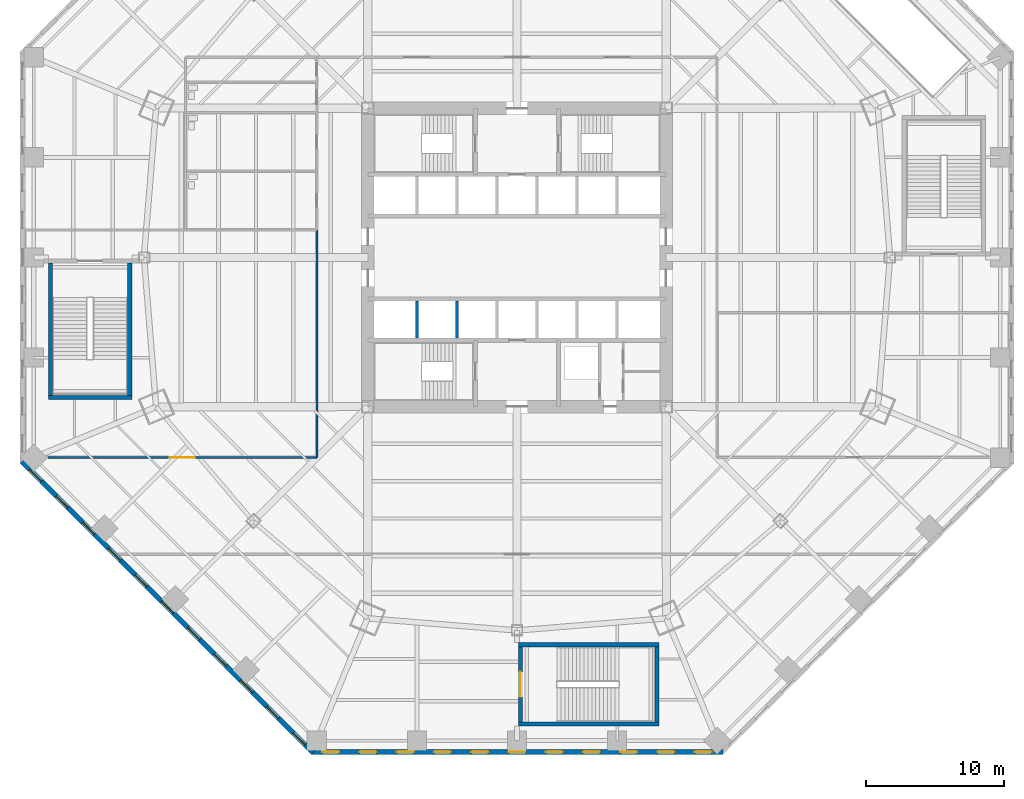
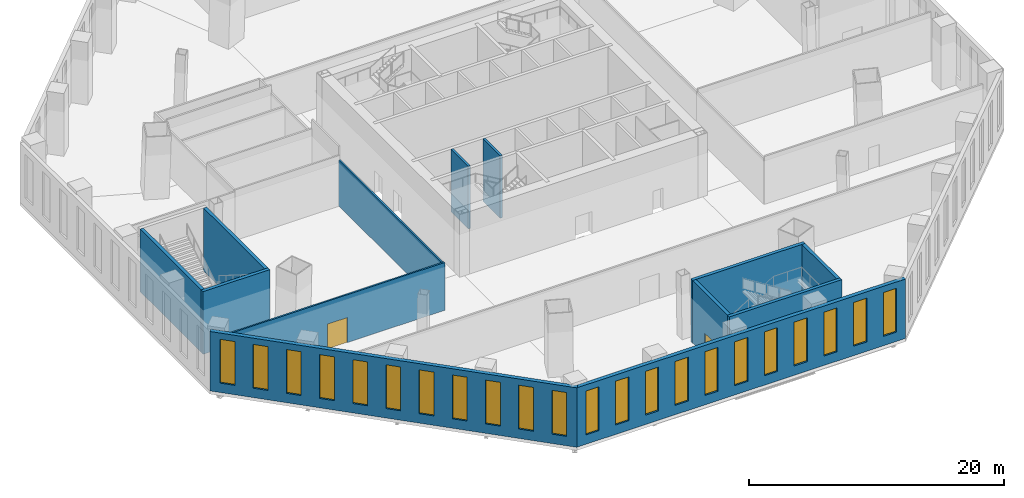
# One storey, part 8 of 20: 22 windows, 13 walls, 2 doors, 24 openings.
"""IFC4 building model written with IfcOpenShell, lengths in metres."""

from ifc_helpers import new_model, si_unit, direction, frame, frame_2d, origin, place, context, subcontext, project, spatial, rectangle, extrude, material, layer, layer_set, type_object, element, fill, save


model = new_model("IFC4")

# Units and contexts
model_context = context("Model", 3, precision=1e-05, world=origin(), true_north=direction((0.0, 1.0)))
body_context = subcontext(model_context, "Body", "Model", "MODEL_VIEW")
ifc_project = project(units=[si_unit("LENGTHUNIT", "METRE"), si_unit("AREAUNIT", "SQUARE_METRE"), si_unit("VOLUMEUNIT", "CUBIC_METRE"), si_unit("PLANEANGLEUNIT", "RADIAN"), si_unit("MASSUNIT", "GRAM", prefix="KILO")], contexts=[model_context])

# Site, building, storey
site_placement = place(None, origin())
site = spatial("IfcSite", under=ifc_project, at=site_placement, CompositionType="ELEMENT")
building_placement = place(site_placement, origin())
building = spatial("IfcBuilding", under=site, at=building_placement, Name="Mashrafa Tower", CompositionType="ELEMENT")
storey_placement = place(building_placement, frame((0.0, 0.0, 7.199951171875)))
storey = spatial("IfcBuildingStorey", under=building, at=storey_placement, Name="L01", CompositionType="ELEMENT", Elevation=7.199951171875)

# Wall, opening, door
ifc_material_1 = material(Name="Gypsum board on steel studs", Category="steel")
ifc_layer_1 = layer(ifc_material_1, 0.14990234375)
ifc_layer_set_1 = layer_set([ifc_layer_1], Name="Corridor partition 150 1 hr")
wall_type_1 = type_object("IfcWallType", Name="Corridor partition 150 1 hr", PredefinedType="PARTITIONING", material=ifc_layer_set_1)
wall_1_placement = place(storey_placement, frame((-33.985595703125, -14.5, 0.0), z_axis=(0.0, 0.0, 1.0), x_axis=(1.0, 0.0, 0.0)))
wall_1 = element("IfcWall", 1, at=wall_1_placement, inside=storey, type_object=wall_type_1, Name="Corridor wall L01-014", PredefinedType="PARTITIONING", context=body_context, shape_type="SweptSolid", body=[
    extrude(rectangle(XDim=19.485595703125, YDim=0.14990234375, at=frame_2d((9.74267578125, 0.0))), origin(), (0.0, 0.0, 1.0), 4.590087890625),
])
opening_1_placement = place(wall_1_placement, frame((8.843017578125, 0.0, 0.0)))
opening_1 = element("IfcOpeningElement", 2, at=opening_1_placement, cuts=wall_1, Name="Opening 01.005", PredefinedType="OPENING", context=body_context, shape_type="SweptSolid", body=[
    extrude(rectangle(XDim=1.800048828125, YDim=2.39990234375, at=frame_2d((0.89990234375, 1.199951171875))), frame((0.0, 0.0849609375, 0.0), z_axis=(0.0, -1.0, 0.0), x_axis=(1.0, 0.0, 0.0)), (0.0, 0.0, 1.0), 0.169921875),
])
ifc_material_2 = material(Name="Timber door", Category="wood")
door_type_1 = type_object("IfcDoorType", Name="Door pair 1800 x 2400", OperationType="DOUBLE_DOOR_SINGLE_SWING", PredefinedType="DOOR", material=ifc_material_2)
door_1_placement = place(opening_1_placement, origin())
door_1 = element("IfcDoor", 3, at=door_1_placement, inside=storey, type_object=door_type_1, Name="Exhibition Workshop L01 door", OperationType="DOUBLE_DOOR_SINGLE_SWING", OverallHeight=2.39990234375, OverallWidth=1.800048828125, PredefinedType="DOOR", context=body_context, shape_type="SweptSolid", body=[
    extrude(rectangle(XDim=1.800048828125, YDim=2.39990234375, at=frame_2d((0.89990234375, 1.199951171875))), frame((0.0, 0.02490234375, 0.0), z_axis=(0.0, -1.0, 0.0), x_axis=(1.0, 0.0, 0.0)), (0.0, 0.0, 1.0), 0.050048828125),
])
fill(opening_1, door_1)

# Wall
wall_2_placement = place(storey_placement, frame((-14.5, -14.5, 0.0), z_axis=(0.0, 0.0, 1.0), x_axis=(0.0, 1.0, 0.0)))
element("IfcWall", 4, at=wall_2_placement, inside=storey, type_object=wall_type_1, Name="Corridor wall L01-015", PredefinedType="PARTITIONING", context=body_context, shape_type="SweptSolid", body=[
    extrude(rectangle(XDim=16.5, YDim=0.14990234375, at=frame_2d((8.25, 0.0))), origin(), (0.0, 0.0, 1.0), 4.39013671875),
])

# Wall, openings, windows
ifc_material_3 = material(Name="Riyadh limestone cladding on blockwork", Category="masonry")
ifc_layer_2 = layer(ifc_material_3, 0.35009765625)
ifc_layer_set_2 = layer_set([ifc_layer_2], Name="Limestone-clad external wall 350")
wall_type_2 = type_object("IfcWallType", Name="Limestone-clad external wall 350", PredefinedType="SOLIDWALL", material=ifc_layer_set_2)
wall_3_placement = place(storey_placement, frame((-35.876220703125, -14.787841796875, 0.0), z_axis=(0.0, 0.0, 1.0), x_axis=(0.707106781187, -0.707106781187, 0.0)))
wall_3 = element("IfcWall", 5, at=wall_3_placement, inside=storey, type_object=wall_type_2, Name="Limestone-clad external wall L01 south-west", PredefinedType="SOLIDWALL", context=body_context, shape_type="SweptSolid", body=[
    extrude(rectangle(XDim=29.823486328125, YDim=0.35009765625, at=frame_2d((14.91162109375, 0.0))), origin(), (0.0, 0.0, 1.0), 5.699951171875),
])
opening_2_placement = place(wall_3_placement, frame((0.821533203125, 0.0, 0.89990234375)))
opening_2 = element("IfcOpeningElement", 6, at=opening_2_placement, cuts=wall_3, Name="Opening W1", PredefinedType="OPENING", context=body_context, shape_type="SweptSolid", body=[
    extrude(rectangle(XDim=1.199951171875, YDim=4.199951171875, at=frame_2d((0.60009765625, 2.10009765625))), frame((0.0, 0.18505859375, 0.0), z_axis=(0.0, -1.0, 0.0), x_axis=(1.0, 0.0, 0.0)), (0.0, 0.0, 1.0), 0.3701171875),
])
opening_3_placement = place(wall_3_placement, frame((3.51953125, 0.0, 0.89990234375)))
opening_3 = element("IfcOpeningElement", 7, at=opening_3_placement, cuts=wall_3, Name="Opening W1", PredefinedType="OPENING", context=body_context, shape_type="SweptSolid", body=[
    extrude(rectangle(XDim=1.199951171875, YDim=4.199951171875, at=frame_2d((0.60009765625, 2.10009765625))), frame((0.0, 0.18505859375, 0.0), z_axis=(0.0, -1.0, 0.0), x_axis=(1.0, 0.0, 0.0)), (0.0, 0.0, 1.0), 0.3701171875),
])
opening_4_placement = place(wall_3_placement, frame((6.217529296875, 0.0, 0.89990234375)))
opening_4 = element("IfcOpeningElement", 8, at=opening_4_placement, cuts=wall_3, Name="Opening W1", PredefinedType="OPENING", context=body_context, shape_type="SweptSolid", body=[
    extrude(rectangle(XDim=1.199951171875, YDim=4.199951171875, at=frame_2d((0.60009765625, 2.10009765625))), frame((0.0, 0.18505859375, 0.0), z_axis=(0.0, -1.0, 0.0), x_axis=(1.0, 0.0, 0.0)), (0.0, 0.0, 1.0), 0.3701171875),
])
opening_5_placement = place(wall_3_placement, frame((8.91552734375, 0.0, 0.89990234375)))
opening_5 = element("IfcOpeningElement", 9, at=opening_5_placement, cuts=wall_3, Name="Opening W1", PredefinedType="OPENING", context=body_context, shape_type="SweptSolid", body=[
    extrude(rectangle(XDim=1.199951171875, YDim=4.199951171875, at=frame_2d((0.60009765625, 2.10009765625))), frame((0.0, 0.18505859375, 0.0), z_axis=(0.0, -1.0, 0.0), x_axis=(1.0, 0.0, 0.0)), (0.0, 0.0, 1.0), 0.3701171875),
])
opening_6_placement = place(wall_3_placement, frame((11.61376953125, 0.0, 0.89990234375)))
opening_6 = element("IfcOpeningElement", 10, at=opening_6_placement, cuts=wall_3, Name="Opening W1", PredefinedType="OPENING", context=body_context, shape_type="SweptSolid", body=[
    extrude(rectangle(XDim=1.199951171875, YDim=4.199951171875, at=frame_2d((0.60009765625, 2.10009765625))), frame((0.0, 0.18505859375, 0.0), z_axis=(0.0, -1.0, 0.0), x_axis=(1.0, 0.0, 0.0)), (0.0, 0.0, 1.0), 0.3701171875),
])
opening_7_placement = place(wall_3_placement, frame((14.311767578125, 0.0, 0.89990234375)))
opening_7 = element("IfcOpeningElement", 11, at=opening_7_placement, cuts=wall_3, Name="Opening W1", PredefinedType="OPENING", context=body_context, shape_type="SweptSolid", body=[
    extrude(rectangle(XDim=1.199951171875, YDim=4.199951171875, at=frame_2d((0.60009765625, 2.10009765625))), frame((0.0, 0.18505859375, 0.0), z_axis=(0.0, -1.0, 0.0), x_axis=(1.0, 0.0, 0.0)), (0.0, 0.0, 1.0), 0.3701171875),
])
opening_8_placement = place(wall_3_placement, frame((17.009765625, 0.0, 0.89990234375)))
opening_8 = element("IfcOpeningElement", 12, at=opening_8_placement, cuts=wall_3, Name="Opening W1", PredefinedType="OPENING", context=body_context, shape_type="SweptSolid", body=[
    extrude(rectangle(XDim=1.199951171875, YDim=4.199951171875, at=frame_2d((0.60009765625, 2.10009765625))), frame((0.0, 0.18505859375, 0.0), z_axis=(0.0, -1.0, 0.0), x_axis=(1.0, 0.0, 0.0)), (0.0, 0.0, 1.0), 0.3701171875),
])
opening_9_placement = place(wall_3_placement, frame((19.707763671875, 0.0, 0.89990234375)))
opening_9 = element("IfcOpeningElement", 13, at=opening_9_placement, cuts=wall_3, Name="Opening W1", PredefinedType="OPENING", context=body_context, shape_type="SweptSolid", body=[
    extrude(rectangle(XDim=1.199951171875, YDim=4.199951171875, at=frame_2d((0.60009765625, 2.10009765625))), frame((0.0, 0.18505859375, 0.0), z_axis=(0.0, -1.0, 0.0), x_axis=(1.0, 0.0, 0.0)), (0.0, 0.0, 1.0), 0.3701171875),
])
opening_10_placement = place(wall_3_placement, frame((22.40576171875, 0.0, 0.89990234375)))
opening_10 = element("IfcOpeningElement", 14, at=opening_10_placement, cuts=wall_3, Name="Opening W1", PredefinedType="OPENING", context=body_context, shape_type="SweptSolid", body=[
    extrude(rectangle(XDim=1.199951171875, YDim=4.199951171875, at=frame_2d((0.60009765625, 2.10009765625))), frame((0.0, 0.18505859375, 0.0), z_axis=(0.0, -1.0, 0.0), x_axis=(1.0, 0.0, 0.0)), (0.0, 0.0, 1.0), 0.3701171875),
])
opening_11_placement = place(wall_3_placement, frame((25.103759765625, 0.0, 0.89990234375)))
opening_11 = element("IfcOpeningElement", 15, at=opening_11_placement, cuts=wall_3, Name="Opening W1", PredefinedType="OPENING", context=body_context, shape_type="SweptSolid", body=[
    extrude(rectangle(XDim=1.199951171875, YDim=4.199951171875, at=frame_2d((0.60009765625, 2.10009765625))), frame((0.0, 0.18505859375, 0.0), z_axis=(0.0, -1.0, 0.0), x_axis=(1.0, 0.0, 0.0)), (0.0, 0.0, 1.0), 0.3701171875),
])
opening_12_placement = place(wall_3_placement, frame((27.8017578125, 0.0, 0.89990234375)))
opening_12 = element("IfcOpeningElement", 16, at=opening_12_placement, cuts=wall_3, Name="Opening W1", PredefinedType="OPENING", context=body_context, shape_type="SweptSolid", body=[
    extrude(rectangle(XDim=1.199951171875, YDim=4.199951171875, at=frame_2d((0.60009765625, 2.10009765625))), frame((0.0, 0.18505859375, 0.0), z_axis=(0.0, -1.0, 0.0), x_axis=(1.0, 0.0, 0.0)), (0.0, 0.0, 1.0), 0.3701171875),
])
ifc_material_4 = material(Name="Bronze-framed insulated glazing", Category="glass")
window_type = type_object("IfcWindowType", Name="Tall punched window 1200 x 4200", PartitioningType="DOUBLE_PANEL_HORIZONTAL", PredefinedType="WINDOW", material=ifc_material_4)
window_1_placement = place(opening_2_placement, origin())
window_1 = element("IfcWindow", 17, at=window_1_placement, inside=storey, type_object=window_type, Name="Window W1 L01 south-west bay 1", OverallHeight=4.199951171875, OverallWidth=1.199951171875, PartitioningType="SINGLE_PANEL", PredefinedType="WINDOW", context=body_context, shape_type="SweptSolid", body=[
    extrude(rectangle(XDim=1.199951171875, YDim=4.199951171875, at=frame_2d((0.60009765625, 2.10009765625))), frame((0.0, 0.030029296875, 0.0), z_axis=(0.0, -1.0, 0.0), x_axis=(1.0, 0.0, 0.0)), (0.0, 0.0, 1.0), 0.06005859375),
])
fill(opening_2, window_1)
window_2_placement = place(opening_3_placement, origin())
window_2 = element("IfcWindow", 18, at=window_2_placement, inside=storey, type_object=window_type, Name="Window W1 L01 south-west bay 2", OverallHeight=4.199951171875, OverallWidth=1.199951171875, PartitioningType="SINGLE_PANEL", PredefinedType="WINDOW", context=body_context, shape_type="SweptSolid", body=[
    extrude(rectangle(XDim=1.199951171875, YDim=4.199951171875, at=frame_2d((0.60009765625, 2.10009765625))), frame((0.0, 0.030029296875, 0.0), z_axis=(0.0, -1.0, 0.0), x_axis=(1.0, 0.0, 0.0)), (0.0, 0.0, 1.0), 0.06005859375),
])
fill(opening_3, window_2)
window_3_placement = place(opening_4_placement, origin())
window_3 = element("IfcWindow", 19, at=window_3_placement, inside=storey, type_object=window_type, Name="Window W1 L01 south-west bay 3", OverallHeight=4.199951171875, OverallWidth=1.199951171875, PartitioningType="SINGLE_PANEL", PredefinedType="WINDOW", context=body_context, shape_type="SweptSolid", body=[
    extrude(rectangle(XDim=1.199951171875, YDim=4.199951171875, at=frame_2d((0.60009765625, 2.10009765625))), frame((0.0, 0.030029296875, 0.0), z_axis=(0.0, -1.0, 0.0), x_axis=(1.0, 0.0, 0.0)), (0.0, 0.0, 1.0), 0.06005859375),
])
fill(opening_4, window_3)
window_4_placement = place(opening_5_placement, origin())
window_4 = element("IfcWindow", 20, at=window_4_placement, inside=storey, type_object=window_type, Name="Window W1 L01 south-west bay 4", OverallHeight=4.199951171875, OverallWidth=1.199951171875, PartitioningType="SINGLE_PANEL", PredefinedType="WINDOW", context=body_context, shape_type="SweptSolid", body=[
    extrude(rectangle(XDim=1.199951171875, YDim=4.199951171875, at=frame_2d((0.60009765625, 2.10009765625))), frame((0.0, 0.030029296875, 0.0), z_axis=(0.0, -1.0, 0.0), x_axis=(1.0, 0.0, 0.0)), (0.0, 0.0, 1.0), 0.06005859375),
])
fill(opening_5, window_4)
window_5_placement = place(opening_6_placement, origin())
window_5 = element("IfcWindow", 21, at=window_5_placement, inside=storey, type_object=window_type, Name="Window W1 L01 south-west bay 5", OverallHeight=4.199951171875, OverallWidth=1.199951171875, PartitioningType="SINGLE_PANEL", PredefinedType="WINDOW", context=body_context, shape_type="SweptSolid", body=[
    extrude(rectangle(XDim=1.199951171875, YDim=4.199951171875, at=frame_2d((0.60009765625, 2.10009765625))), frame((0.0, 0.030029296875, 0.0), z_axis=(0.0, -1.0, 0.0), x_axis=(1.0, 0.0, 0.0)), (0.0, 0.0, 1.0), 0.06005859375),
])
fill(opening_6, window_5)
window_6_placement = place(opening_7_placement, origin())
window_6 = element("IfcWindow", 22, at=window_6_placement, inside=storey, type_object=window_type, Name="Window W1 L01 south-west bay 6", OverallHeight=4.199951171875, OverallWidth=1.199951171875, PartitioningType="SINGLE_PANEL", PredefinedType="WINDOW", context=body_context, shape_type="SweptSolid", body=[
    extrude(rectangle(XDim=1.199951171875, YDim=4.199951171875, at=frame_2d((0.60009765625, 2.10009765625))), frame((0.0, 0.030029296875, 0.0), z_axis=(0.0, -1.0, 0.0), x_axis=(1.0, 0.0, 0.0)), (0.0, 0.0, 1.0), 0.06005859375),
])
fill(opening_7, window_6)
window_7_placement = place(opening_8_placement, origin())
window_7 = element("IfcWindow", 23, at=window_7_placement, inside=storey, type_object=window_type, Name="Window W1 L01 south-west bay 7", OverallHeight=4.199951171875, OverallWidth=1.199951171875, PartitioningType="SINGLE_PANEL", PredefinedType="WINDOW", context=body_context, shape_type="SweptSolid", body=[
    extrude(rectangle(XDim=1.199951171875, YDim=4.199951171875, at=frame_2d((0.60009765625, 2.10009765625))), frame((0.0, 0.030029296875, 0.0), z_axis=(0.0, -1.0, 0.0), x_axis=(1.0, 0.0, 0.0)), (0.0, 0.0, 1.0), 0.06005859375),
])
fill(opening_8, window_7)
window_8_placement = place(opening_9_placement, origin())
window_8 = element("IfcWindow", 24, at=window_8_placement, inside=storey, type_object=window_type, Name="Window W1 L01 south-west bay 8", OverallHeight=4.199951171875, OverallWidth=1.199951171875, PartitioningType="SINGLE_PANEL", PredefinedType="WINDOW", context=body_context, shape_type="SweptSolid", body=[
    extrude(rectangle(XDim=1.199951171875, YDim=4.199951171875, at=frame_2d((0.60009765625, 2.10009765625))), frame((0.0, 0.030029296875, 0.0), z_axis=(0.0, -1.0, 0.0), x_axis=(1.0, 0.0, 0.0)), (0.0, 0.0, 1.0), 0.06005859375),
])
fill(opening_9, window_8)
window_9_placement = place(opening_10_placement, origin())
window_9 = element("IfcWindow", 25, at=window_9_placement, inside=storey, type_object=window_type, Name="Window W1 L01 south-west bay 9", OverallHeight=4.199951171875, OverallWidth=1.199951171875, PartitioningType="SINGLE_PANEL", PredefinedType="WINDOW", context=body_context, shape_type="SweptSolid", body=[
    extrude(rectangle(XDim=1.199951171875, YDim=4.199951171875, at=frame_2d((0.60009765625, 2.10009765625))), frame((0.0, 0.030029296875, 0.0), z_axis=(0.0, -1.0, 0.0), x_axis=(1.0, 0.0, 0.0)), (0.0, 0.0, 1.0), 0.06005859375),
])
fill(opening_10, window_9)
window_10_placement = place(opening_11_placement, origin())
window_10 = element("IfcWindow", 26, at=window_10_placement, inside=storey, type_object=window_type, Name="Window W1 L01 south-west bay 10", OverallHeight=4.199951171875, OverallWidth=1.199951171875, PartitioningType="SINGLE_PANEL", PredefinedType="WINDOW", context=body_context, shape_type="SweptSolid", body=[
    extrude(rectangle(XDim=1.199951171875, YDim=4.199951171875, at=frame_2d((0.60009765625, 2.10009765625))), frame((0.0, 0.030029296875, 0.0), z_axis=(0.0, -1.0, 0.0), x_axis=(1.0, 0.0, 0.0)), (0.0, 0.0, 1.0), 0.06005859375),
])
fill(opening_11, window_10)
window_11_placement = place(opening_12_placement, origin())
window_11 = element("IfcWindow", 27, at=window_11_placement, inside=storey, type_object=window_type, Name="Window W1 L01 south-west bay 11", OverallHeight=4.199951171875, OverallWidth=1.199951171875, PartitioningType="SINGLE_PANEL", PredefinedType="WINDOW", context=body_context, shape_type="SweptSolid", body=[
    extrude(rectangle(XDim=1.199951171875, YDim=4.199951171875, at=frame_2d((0.60009765625, 2.10009765625))), frame((0.0, 0.030029296875, 0.0), z_axis=(0.0, -1.0, 0.0), x_axis=(1.0, 0.0, 0.0)), (0.0, 0.0, 1.0), 0.06005859375),
])
fill(opening_12, window_11)

wall_4_placement = place(storey_placement, frame((-14.91162109375, -35.824951171875, 0.0), z_axis=(0.0, 0.0, 1.0), x_axis=(1.0, 0.0, 0.0)))
wall_4 = element("IfcWall", 28, at=wall_4_placement, inside=storey, type_object=wall_type_2, Name="Limestone-clad external wall L01 south", PredefinedType="SOLIDWALL", context=body_context, shape_type="SweptSolid", body=[
    extrude(rectangle(XDim=29.8232421875, YDim=0.35009765625, at=frame_2d((14.91162109375, 0.0))), origin(), (0.0, 0.0, 1.0), 5.699951171875),
])
opening_13_placement = place(wall_4_placement, frame((0.821533203125, 0.0, 0.89990234375)))
opening_13 = element("IfcOpeningElement", 29, at=opening_13_placement, cuts=wall_4, Name="Opening W1", PredefinedType="OPENING", context=body_context, shape_type="SweptSolid", body=[
    extrude(rectangle(XDim=1.199951171875, YDim=4.199951171875, at=frame_2d((0.60009765625, 2.10009765625))), frame((0.0, 0.18505859375, 0.0), z_axis=(0.0, -1.0, 0.0), x_axis=(1.0, 0.0, 0.0)), (0.0, 0.0, 1.0), 0.3701171875),
])
opening_14_placement = place(wall_4_placement, frame((3.51953125, 0.0, 0.89990234375)))
opening_14 = element("IfcOpeningElement", 30, at=opening_14_placement, cuts=wall_4, Name="Opening W1", PredefinedType="OPENING", context=body_context, shape_type="SweptSolid", body=[
    extrude(rectangle(XDim=1.199951171875, YDim=4.199951171875, at=frame_2d((0.60009765625, 2.10009765625))), frame((0.0, 0.18505859375, 0.0), z_axis=(0.0, -1.0, 0.0), x_axis=(1.0, 0.0, 0.0)), (0.0, 0.0, 1.0), 0.3701171875),
])
opening_15_placement = place(wall_4_placement, frame((6.217529296875, 0.0, 0.89990234375)))
opening_15 = element("IfcOpeningElement", 31, at=opening_15_placement, cuts=wall_4, Name="Opening W1", PredefinedType="OPENING", context=body_context, shape_type="SweptSolid", body=[
    extrude(rectangle(XDim=1.199951171875, YDim=4.199951171875, at=frame_2d((0.60009765625, 2.10009765625))), frame((0.0, 0.18505859375, 0.0), z_axis=(0.0, -1.0, 0.0), x_axis=(1.0, 0.0, 0.0)), (0.0, 0.0, 1.0), 0.3701171875),
])
opening_16_placement = place(wall_4_placement, frame((8.91552734375, 0.0, 0.89990234375)))
opening_16 = element("IfcOpeningElement", 32, at=opening_16_placement, cuts=wall_4, Name="Opening W1", PredefinedType="OPENING", context=body_context, shape_type="SweptSolid", body=[
    extrude(rectangle(XDim=1.199951171875, YDim=4.199951171875, at=frame_2d((0.60009765625, 2.10009765625))), frame((0.0, 0.18505859375, 0.0), z_axis=(0.0, -1.0, 0.0), x_axis=(1.0, 0.0, 0.0)), (0.0, 0.0, 1.0), 0.3701171875),
])
opening_17_placement = place(wall_4_placement, frame((11.61376953125, 0.0, 0.89990234375)))
opening_17 = element("IfcOpeningElement", 33, at=opening_17_placement, cuts=wall_4, Name="Opening W1", PredefinedType="OPENING", context=body_context, shape_type="SweptSolid", body=[
    extrude(rectangle(XDim=1.199951171875, YDim=4.199951171875, at=frame_2d((0.60009765625, 2.10009765625))), frame((0.0, 0.18505859375, 0.0), z_axis=(0.0, -1.0, 0.0), x_axis=(1.0, 0.0, 0.0)), (0.0, 0.0, 1.0), 0.3701171875),
])
opening_18_placement = place(wall_4_placement, frame((14.311767578125, 0.0, 0.89990234375)))
opening_18 = element("IfcOpeningElement", 34, at=opening_18_placement, cuts=wall_4, Name="Opening W1", PredefinedType="OPENING", context=body_context, shape_type="SweptSolid", body=[
    extrude(rectangle(XDim=1.199951171875, YDim=4.199951171875, at=frame_2d((0.60009765625, 2.10009765625))), frame((0.0, 0.18505859375, 0.0), z_axis=(0.0, -1.0, 0.0), x_axis=(1.0, 0.0, 0.0)), (0.0, 0.0, 1.0), 0.3701171875),
])
opening_19_placement = place(wall_4_placement, frame((17.009765625, 0.0, 0.89990234375)))
opening_19 = element("IfcOpeningElement", 35, at=opening_19_placement, cuts=wall_4, Name="Opening W1", PredefinedType="OPENING", context=body_context, shape_type="SweptSolid", body=[
    extrude(rectangle(XDim=1.199951171875, YDim=4.199951171875, at=frame_2d((0.60009765625, 2.10009765625))), frame((0.0, 0.18505859375, 0.0), z_axis=(0.0, -1.0, 0.0), x_axis=(1.0, 0.0, 0.0)), (0.0, 0.0, 1.0), 0.3701171875),
])
opening_20_placement = place(wall_4_placement, frame((19.707763671875, 0.0, 0.89990234375)))
opening_20 = element("IfcOpeningElement", 36, at=opening_20_placement, cuts=wall_4, Name="Opening W1", PredefinedType="OPENING", context=body_context, shape_type="SweptSolid", body=[
    extrude(rectangle(XDim=1.199951171875, YDim=4.199951171875, at=frame_2d((0.60009765625, 2.10009765625))), frame((0.0, 0.18505859375, 0.0), z_axis=(0.0, -1.0, 0.0), x_axis=(1.0, 0.0, 0.0)), (0.0, 0.0, 1.0), 0.3701171875),
])
opening_21_placement = place(wall_4_placement, frame((22.40576171875, 0.0, 0.89990234375)))
opening_21 = element("IfcOpeningElement", 37, at=opening_21_placement, cuts=wall_4, Name="Opening W1", PredefinedType="OPENING", context=body_context, shape_type="SweptSolid", body=[
    extrude(rectangle(XDim=1.199951171875, YDim=4.199951171875, at=frame_2d((0.60009765625, 2.10009765625))), frame((0.0, 0.18505859375, 0.0), z_axis=(0.0, -1.0, 0.0), x_axis=(1.0, 0.0, 0.0)), (0.0, 0.0, 1.0), 0.3701171875),
])
opening_22_placement = place(wall_4_placement, frame((25.103759765625, 0.0, 0.89990234375)))
opening_22 = element("IfcOpeningElement", 38, at=opening_22_placement, cuts=wall_4, Name="Opening W1", PredefinedType="OPENING", context=body_context, shape_type="SweptSolid", body=[
    extrude(rectangle(XDim=1.199951171875, YDim=4.199951171875, at=frame_2d((0.60009765625, 2.10009765625))), frame((0.0, 0.18505859375, 0.0), z_axis=(0.0, -1.0, 0.0), x_axis=(1.0, 0.0, 0.0)), (0.0, 0.0, 1.0), 0.3701171875),
])
opening_23_placement = place(wall_4_placement, frame((27.8017578125, 0.0, 0.89990234375)))
opening_23 = element("IfcOpeningElement", 39, at=opening_23_placement, cuts=wall_4, Name="Opening W1", PredefinedType="OPENING", context=body_context, shape_type="SweptSolid", body=[
    extrude(rectangle(XDim=1.199951171875, YDim=4.199951171875, at=frame_2d((0.60009765625, 2.10009765625))), frame((0.0, 0.18505859375, 0.0), z_axis=(0.0, -1.0, 0.0), x_axis=(1.0, 0.0, 0.0)), (0.0, 0.0, 1.0), 0.3701171875),
])
window_12_placement = place(opening_13_placement, origin())
window_12 = element("IfcWindow", 40, at=window_12_placement, inside=storey, type_object=window_type, Name="Window W1 L01 south bay 1", OverallHeight=4.199951171875, OverallWidth=1.199951171875, PartitioningType="SINGLE_PANEL", PredefinedType="WINDOW", context=body_context, shape_type="SweptSolid", body=[
    extrude(rectangle(XDim=1.199951171875, YDim=4.199951171875, at=frame_2d((0.60009765625, 2.10009765625))), frame((0.0, 0.030029296875, 0.0), z_axis=(0.0, -1.0, 0.0), x_axis=(1.0, 0.0, 0.0)), (0.0, 0.0, 1.0), 0.06005859375),
])
fill(opening_13, window_12)
window_13_placement = place(opening_14_placement, origin())
window_13 = element("IfcWindow", 41, at=window_13_placement, inside=storey, type_object=window_type, Name="Window W1 L01 south bay 2", OverallHeight=4.199951171875, OverallWidth=1.199951171875, PartitioningType="SINGLE_PANEL", PredefinedType="WINDOW", context=body_context, shape_type="SweptSolid", body=[
    extrude(rectangle(XDim=1.199951171875, YDim=4.199951171875, at=frame_2d((0.60009765625, 2.10009765625))), frame((0.0, 0.030029296875, 0.0), z_axis=(0.0, -1.0, 0.0), x_axis=(1.0, 0.0, 0.0)), (0.0, 0.0, 1.0), 0.06005859375),
])
fill(opening_14, window_13)
window_14_placement = place(opening_15_placement, origin())
window_14 = element("IfcWindow", 42, at=window_14_placement, inside=storey, type_object=window_type, Name="Window W1 L01 south bay 3", OverallHeight=4.199951171875, OverallWidth=1.199951171875, PartitioningType="SINGLE_PANEL", PredefinedType="WINDOW", context=body_context, shape_type="SweptSolid", body=[
    extrude(rectangle(XDim=1.199951171875, YDim=4.199951171875, at=frame_2d((0.60009765625, 2.10009765625))), frame((0.0, 0.030029296875, 0.0), z_axis=(0.0, -1.0, 0.0), x_axis=(1.0, 0.0, 0.0)), (0.0, 0.0, 1.0), 0.06005859375),
])
fill(opening_15, window_14)
window_15_placement = place(opening_16_placement, origin())
window_15 = element("IfcWindow", 43, at=window_15_placement, inside=storey, type_object=window_type, Name="Window W1 L01 south bay 4", OverallHeight=4.199951171875, OverallWidth=1.199951171875, PartitioningType="SINGLE_PANEL", PredefinedType="WINDOW", context=body_context, shape_type="SweptSolid", body=[
    extrude(rectangle(XDim=1.199951171875, YDim=4.199951171875, at=frame_2d((0.60009765625, 2.10009765625))), frame((0.0, 0.030029296875, 0.0), z_axis=(0.0, -1.0, 0.0), x_axis=(1.0, 0.0, 0.0)), (0.0, 0.0, 1.0), 0.06005859375),
])
fill(opening_16, window_15)
window_16_placement = place(opening_17_placement, origin())
window_16 = element("IfcWindow", 44, at=window_16_placement, inside=storey, type_object=window_type, Name="Window W1 L01 south bay 5", OverallHeight=4.199951171875, OverallWidth=1.199951171875, PartitioningType="SINGLE_PANEL", PredefinedType="WINDOW", context=body_context, shape_type="SweptSolid", body=[
    extrude(rectangle(XDim=1.199951171875, YDim=4.199951171875, at=frame_2d((0.60009765625, 2.10009765625))), frame((0.0, 0.030029296875, 0.0), z_axis=(0.0, -1.0, 0.0), x_axis=(1.0, 0.0, 0.0)), (0.0, 0.0, 1.0), 0.06005859375),
])
fill(opening_17, window_16)
window_17_placement = place(opening_18_placement, origin())
window_17 = element("IfcWindow", 45, at=window_17_placement, inside=storey, type_object=window_type, Name="Window W1 L01 south bay 6", OverallHeight=4.199951171875, OverallWidth=1.199951171875, PartitioningType="SINGLE_PANEL", PredefinedType="WINDOW", context=body_context, shape_type="SweptSolid", body=[
    extrude(rectangle(XDim=1.199951171875, YDim=4.199951171875, at=frame_2d((0.60009765625, 2.10009765625))), frame((0.0, 0.030029296875, 0.0), z_axis=(0.0, -1.0, 0.0), x_axis=(1.0, 0.0, 0.0)), (0.0, 0.0, 1.0), 0.06005859375),
])
fill(opening_18, window_17)
window_18_placement = place(opening_19_placement, origin())
window_18 = element("IfcWindow", 46, at=window_18_placement, inside=storey, type_object=window_type, Name="Window W1 L01 south bay 7", OverallHeight=4.199951171875, OverallWidth=1.199951171875, PartitioningType="SINGLE_PANEL", PredefinedType="WINDOW", context=body_context, shape_type="SweptSolid", body=[
    extrude(rectangle(XDim=1.199951171875, YDim=4.199951171875, at=frame_2d((0.60009765625, 2.10009765625))), frame((0.0, 0.030029296875, 0.0), z_axis=(0.0, -1.0, 0.0), x_axis=(1.0, 0.0, 0.0)), (0.0, 0.0, 1.0), 0.06005859375),
])
fill(opening_19, window_18)
window_19_placement = place(opening_20_placement, origin())
window_19 = element("IfcWindow", 47, at=window_19_placement, inside=storey, type_object=window_type, Name="Window W1 L01 south bay 8", OverallHeight=4.199951171875, OverallWidth=1.199951171875, PartitioningType="SINGLE_PANEL", PredefinedType="WINDOW", context=body_context, shape_type="SweptSolid", body=[
    extrude(rectangle(XDim=1.199951171875, YDim=4.199951171875, at=frame_2d((0.60009765625, 2.10009765625))), frame((0.0, 0.030029296875, 0.0), z_axis=(0.0, -1.0, 0.0), x_axis=(1.0, 0.0, 0.0)), (0.0, 0.0, 1.0), 0.06005859375),
])
fill(opening_20, window_19)
window_20_placement = place(opening_21_placement, origin())
window_20 = element("IfcWindow", 48, at=window_20_placement, inside=storey, type_object=window_type, Name="Window W1 L01 south bay 9", OverallHeight=4.199951171875, OverallWidth=1.199951171875, PartitioningType="SINGLE_PANEL", PredefinedType="WINDOW", context=body_context, shape_type="SweptSolid", body=[
    extrude(rectangle(XDim=1.199951171875, YDim=4.199951171875, at=frame_2d((0.60009765625, 2.10009765625))), frame((0.0, 0.030029296875, 0.0), z_axis=(0.0, -1.0, 0.0), x_axis=(1.0, 0.0, 0.0)), (0.0, 0.0, 1.0), 0.06005859375),
])
fill(opening_21, window_20)
window_21_placement = place(opening_22_placement, origin())
window_21 = element("IfcWindow", 49, at=window_21_placement, inside=storey, type_object=window_type, Name="Window W1 L01 south bay 10", OverallHeight=4.199951171875, OverallWidth=1.199951171875, PartitioningType="SINGLE_PANEL", PredefinedType="WINDOW", context=body_context, shape_type="SweptSolid", body=[
    extrude(rectangle(XDim=1.199951171875, YDim=4.199951171875, at=frame_2d((0.60009765625, 2.10009765625))), frame((0.0, 0.030029296875, 0.0), z_axis=(0.0, -1.0, 0.0), x_axis=(1.0, 0.0, 0.0)), (0.0, 0.0, 1.0), 0.06005859375),
])
fill(opening_22, window_21)
window_22_placement = place(opening_23_placement, origin())
window_22 = element("IfcWindow", 50, at=window_22_placement, inside=storey, type_object=window_type, Name="Window W1 L01 south bay 11", OverallHeight=4.199951171875, OverallWidth=1.199951171875, PartitioningType="SINGLE_PANEL", PredefinedType="WINDOW", context=body_context, shape_type="SweptSolid", body=[
    extrude(rectangle(XDim=1.199951171875, YDim=4.199951171875, at=frame_2d((0.60009765625, 2.10009765625))), frame((0.0, 0.030029296875, 0.0), z_axis=(0.0, -1.0, 0.0), x_axis=(1.0, 0.0, 0.0)), (0.0, 0.0, 1.0), 0.06005859375),
])
fill(opening_23, window_22)

# Walls
ifc_material_5 = material(Name="Gypsum shaft wall on steel studs", Category="steel")
ifc_layer_3 = layer(ifc_material_5, 0.199951171875)
ifc_layer_set_3 = layer_set([ifc_layer_3], Name="Shaft divider wall 200 2 hr")
wall_type_3 = type_object("IfcWallType", Name="Shaft divider wall 200 2 hr", PredefinedType="PARTITIONING", material=ifc_layer_set_3)
for number, where, z_axis, x_axis, name in (
    (51, (-7.25, -5.85009765625, 0.0), (0.0, 0.0, 1.0), (0.0, 1.0, 0.0), "Shaft divider wall S1 L01"),
    (52, (-4.35009765625, -5.85009765625, 0.0), (0.0, 0.0, 1.0), (0.0, 1.0, 0.0), "Shaft divider wall S2 L01"),
):
    element("IfcWall", number, at=place(storey_placement, frame(where, z_axis=z_axis, x_axis=x_axis)), inside=storey, type_object=wall_type_3, Name=name, PredefinedType="PARTITIONING", context=body_context, shape_type="SweptSolid", body=[
        extrude(rectangle(XDim=2.7001953125, YDim=0.199951171875, at=frame_2d((1.35009765625, 0.0))), origin(), (0.0, 0.0, 1.0), 6.0),
    ])
ifc_material_6 = material(Name="Concrete C35/45", Category="concrete")
ifc_layer_4 = layer(ifc_material_6, 0.300048828125)
ifc_layer_set_4 = layer_set([ifc_layer_4], Name="Stair core wall 300 3 hr")
wall_type_4 = type_object("IfcWallType", Name="Stair core wall 300 3 hr", PredefinedType="SOLIDWALL", material=ifc_layer_set_4)
wall_5_placement = place(storey_placement, frame((-33.949951171875, -10.14990234375, 0.0), z_axis=(0.0, 0.0, 1.0), x_axis=(1.0, 0.0, 0.0)))
element("IfcWall", 53, at=wall_5_placement, inside=storey, type_object=wall_type_4, Name="Stair P3 core wall S L01", PredefinedType="SOLIDWALL", context=body_context, shape_type="SweptSolid", body=[
    extrude(rectangle(XDim=6.050048828125, YDim=0.300048828125, at=frame_2d((3.02490234375, 0.0))), origin(), (0.0, 0.0, 1.0), 6.0),
])
for number, where, z_axis, x_axis, name in (
    (54, (-33.800048828125, -0.39990234375, 0.0), (0.0, 0.0, 1.0), (0.0, -1.0, 0.0), "Stair P3 core wall W L01"),
    (55, (-28.050048828125, -10.0, 0.0), (0.0, 0.0, 1.0), (0.0, 1.0, 0.0), "Stair P3 core wall E L01"),
):
    element("IfcWall", number, at=place(storey_placement, frame(where, z_axis=z_axis, x_axis=x_axis)), inside=storey, type_object=wall_type_4, Name=name, PredefinedType="SOLIDWALL", context=body_context, shape_type="SweptSolid", body=[
        extrude(rectangle(XDim=9.60009765625, YDim=0.300048828125, at=frame_2d((4.800048828125, 0.0))), origin(), (0.0, 0.0, 1.0), 6.0),
    ])
for number, where, z_axis, x_axis, name in (
    (56, (0.10009765625, -33.800048828125, 0.0), (0.0, 0.0, 1.0), (1.0, 0.0, 0.0), "Stair P4 core wall S L01"),
    (57, (10.300048828125, -28.050048828125, 0.0), (0.0, 0.0, 1.0), (-1.0, 0.0, 0.0), "Stair P4 core wall N L01"),
):
    element("IfcWall", number, at=place(storey_placement, frame(where, z_axis=z_axis, x_axis=x_axis)), inside=storey, type_object=wall_type_4, Name=name, PredefinedType="SOLIDWALL", context=body_context, shape_type="SweptSolid", body=[
        extrude(rectangle(XDim=10.199951171875, YDim=0.300048828125, at=frame_2d((5.10009765625, 0.0))), origin(), (0.0, 0.0, 1.0), 6.0),
    ])

# Wall, opening, door
wall_6_placement = place(storey_placement, frame((0.25, -28.199951171875, 0.0), z_axis=(0.0, 0.0, 1.0), x_axis=(0.0, -1.0, 0.0)))
wall_6 = element("IfcWall", 58, at=wall_6_placement, inside=storey, type_object=wall_type_4, Name="Stair P4 core wall W L01", PredefinedType="SOLIDWALL", context=body_context, shape_type="SweptSolid", body=[
    extrude(rectangle(XDim=5.449951171875, YDim=0.300048828125, at=frame_2d((2.72509765625, 0.0))), origin(), (0.0, 0.0, 1.0), 6.0),
])
opening_24_placement = place(wall_6_placement, frame((1.824951171875, 0.0, 0.0)))
opening_24 = element("IfcOpeningElement", 59, at=opening_24_placement, cuts=wall_6, Name="Opening 01.027", PredefinedType="OPENING", context=body_context, shape_type="SweptSolid", body=[
    extrude(rectangle(XDim=1.800048828125, YDim=2.10009765625, at=frame_2d((0.89990234375, 1.050048828125))), frame((0.0, 0.159912109375, 0.0), z_axis=(0.0, -1.0, 0.0), x_axis=(1.0, 0.0, 0.0)), (0.0, 0.0, 1.0), 0.320068359375),
])
ifc_material_7 = material(Name="Steel door", Category="steel")
door_type_2 = type_object("IfcDoorType", Name="Stair door pair 1800 x 2100 90 min", OperationType="DOUBLE_DOOR_SINGLE_SWING", PredefinedType="DOOR", material=ifc_material_7)
door_2_placement = place(opening_24_placement, origin())
door_2 = element("IfcDoor", 60, at=door_2_placement, inside=storey, type_object=door_type_2, Name="Stair P4 door L01", OperationType="DOUBLE_DOOR_SINGLE_SWING", OverallHeight=2.10009765625, OverallWidth=1.800048828125, PredefinedType="DOOR", context=body_context, shape_type="SweptSolid", body=[
    extrude(rectangle(XDim=1.800048828125, YDim=2.10009765625, at=frame_2d((0.89990234375, 1.050048828125))), frame((0.0, 0.02490234375, 0.0), z_axis=(0.0, -1.0, 0.0), x_axis=(1.0, 0.0, 0.0)), (0.0, 0.0, 1.0), 0.050048828125),
])
fill(opening_24, door_2)

# Wall
wall_7_placement = place(storey_placement, frame((10.14990234375, -33.64990234375, 0.0), z_axis=(0.0, 0.0, 1.0), x_axis=(0.0, 1.0, 0.0)))
element("IfcWall", 61, at=wall_7_placement, inside=storey, type_object=wall_type_4, Name="Stair P4 core wall E L01", PredefinedType="SOLIDWALL", context=body_context, shape_type="SweptSolid", body=[
    extrude(rectangle(XDim=5.449951171875, YDim=0.300048828125, at=frame_2d((2.72509765625, 0.0))), origin(), (0.0, 0.0, 1.0), 6.0),
])

save(model, "model.ifc")
